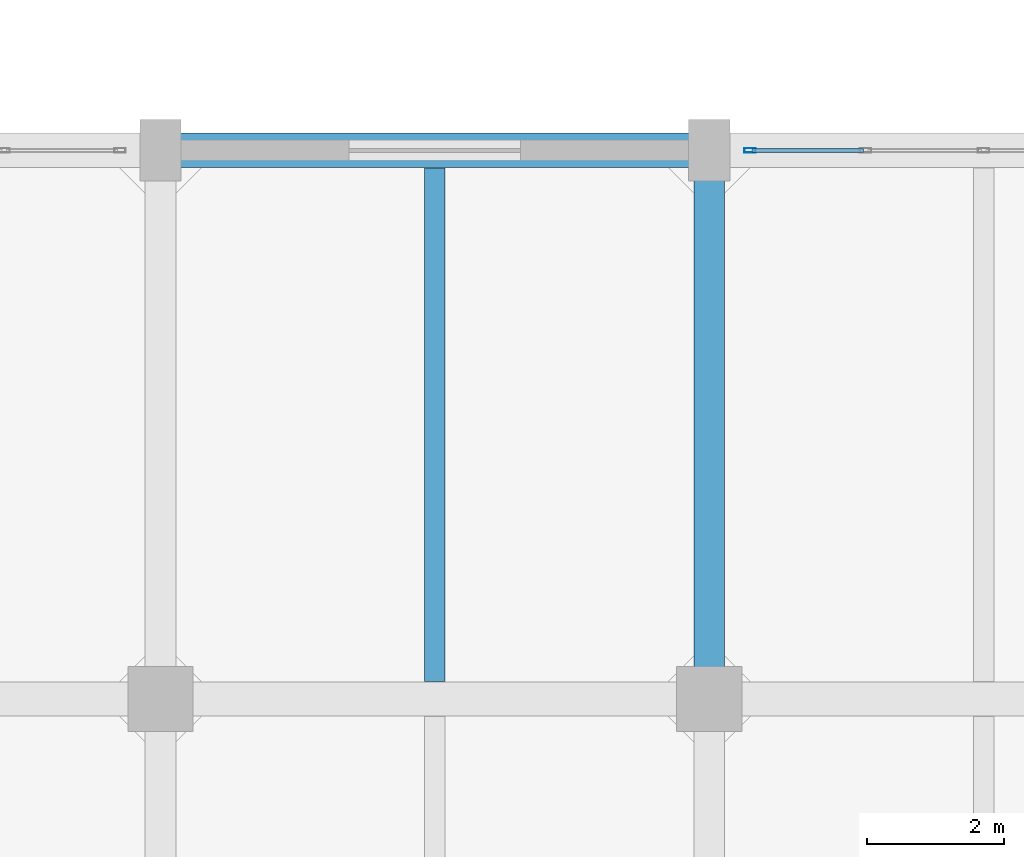
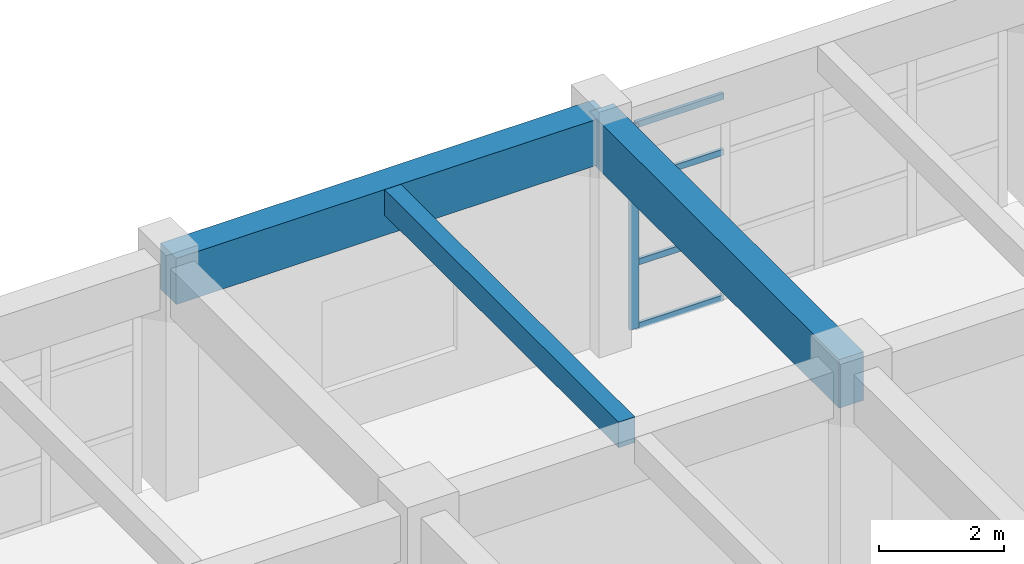
# One storey, part 193 of 248: 5 members, 3 beams, 1 element without a shape of its own.
"""IFC4 building model written with IfcOpenShell, lengths in metres."""

from ifc_helpers import new_model, si_unit, direction, frame, origin, origin_2d, place, context, subcontext, project, spatial, rectangle, hollow_rectangle, extrude, material, layer, layer_set, material_profile, profile_set, type_object, element, aggregate, save


model = new_model("IFC4")

# Units and contexts
model_context = context("Model", 3, precision=1e-05, world=origin(), true_north=direction((0.0, 1.0)))
body_context = subcontext(model_context, "Body", "Model", "MODEL_VIEW")
ifc_project = project(units=[si_unit("LENGTHUNIT", "METRE"), si_unit("AREAUNIT", "SQUARE_METRE"), si_unit("VOLUMEUNIT", "CUBIC_METRE"), si_unit("PLANEANGLEUNIT", "RADIAN"), si_unit("MASSUNIT", "GRAM", prefix="KILO")], contexts=[model_context])

# Site, building, storey
site_placement = place(None, origin())
site = spatial("IfcSite", under=ifc_project, at=site_placement, CompositionType="ELEMENT")
building_placement = place(site_placement, origin())
building = spatial("IfcBuilding", under=site, at=building_placement, Name="Canggui Botanical Conservatory", CompositionType="ELEMENT")
storey_placement = place(building_placement, frame((0.0, 0.0, 5.39990234375)))
storey = spatial("IfcBuildingStorey", under=building, at=storey_placement, Name="L02", CompositionType="ELEMENT", Elevation=5.39990234375)

# Beams
ifc_material_1 = material(Name="Concrete C35", Category="concrete")
ifc_material_profile_1 = material_profile(ifc_material_1, rectangle(XDim=0.300048828125, YDim=0.5, at=origin_2d()), Name="RB 300x500")
ifc_profile_set_1 = profile_set([ifc_material_profile_1], Name="Concrete C35")
beam_type_1 = type_object("IfcBeamType", Name="BM-JST02", PredefinedType="JOIST", material=ifc_profile_set_1)
beam_1_placement = place(storey_placement, frame((142.0, 74.2548828125, 4.27001953125), z_axis=(0.0, 1.0, 0.0), x_axis=(-1.0, 0.0, 0.0)))
element("IfcBeam", 1, at=beam_1_placement, inside=storey, type_object=beam_type_1, Name="Secondary Floor Joist L02-2-7", PredefinedType="JOIST", context=body_context, shape_type="SweptSolid", body=[
    extrude(rectangle(XDim=0.300048828125, YDim=0.5, at=origin_2d()), origin(), (0.0, 0.0, 1.0), 7.490234375),
])
ifc_material_profile_2 = material_profile(ifc_material_1, rectangle(XDim=0.5, YDim=0.89990234375, at=origin_2d()), Name="RB 500x900")
ifc_profile_set_2 = profile_set([ifc_material_profile_2], Name="Concrete C35")
beam_type_2 = type_object("IfcBeamType", Name="BM-KL03", PredefinedType="BEAM", material=ifc_profile_set_2)
beam_2_placement = place(storey_placement, frame((138.0, 82.0, 4.070068359375), z_axis=(1.0, 0.0, 0.0), x_axis=(0.0, 1.0, 0.0)))
element("IfcBeam", 2, at=beam_2_placement, inside=storey, type_object=beam_type_2, Name="Frame Girder L02 Y82-2", PredefinedType="BEAM", context=body_context, shape_type="SweptSolid", body=[
    extrude(rectangle(XDim=0.5, YDim=0.89990234375, at=origin_2d()), origin(), (0.0, 0.0, 1.0), 8.0),
])
ifc_material_profile_3 = material_profile(ifc_material_1, rectangle(XDim=0.449951171875, YDim=0.949951171875, at=origin_2d()), Name="RB 450x950")
ifc_profile_set_3 = profile_set([ifc_material_profile_3], Name="Concrete C35")
beam_type_3 = type_object("IfcBeamType", Name="BM-KL04", PredefinedType="BEAM", material=ifc_profile_set_3)
beam_3_placement = place(storey_placement, frame((146.0, 74.0, 4.045166015625), z_axis=(0.0, 1.0, 0.0), x_axis=(-1.0, 0.0, 0.0)))
element("IfcBeam", 3, at=beam_3_placement, inside=storey, type_object=beam_type_3, Name="Frame Girder L02 X146-7", PredefinedType="BEAM", context=body_context, shape_type="SweptSolid", body=[
    extrude(rectangle(XDim=0.449951171875, YDim=0.949951171875, at=origin_2d()), origin(), (0.0, 0.0, 1.0), 8.0),
])

# Curtain wall, members
ifc_material_2 = material(Name="Thermally Broken Aluminium", Category="aluminium")
ifc_layer = layer(ifc_material_2, 0.1650390625, Name="Thermally Broken Aluminium", Category="aluminium")
ifc_layer_set = layer_set([ifc_layer], Name="Thermally Broken Aluminium")
curtain_wall_type = type_object("IfcCurtainWallType", Name="CW-UNIT-B", PredefinedType="USERDEFINED", material=ifc_layer_set)
curtain_wall_placement = place(storey_placement, origin())
curtain_wall = element("IfcCurtainWall", 4, at=curtain_wall_placement, inside=storey, type_object=curtain_wall_type, Name="Facade Curtain Wall CW-TWR-L02-16", ObjectType="UNITISED CURTAIN WALL", PredefinedType="USERDEFINED")
ifc_material_profile_4 = material_profile(ifc_material_2, hollow_rectangle(XDim=0.06494140625, YDim=0.1650390625, WallThickness=0.00390625, at=origin_2d()), Name="CWM 65x165x4")
ifc_profile_set_4 = profile_set([ifc_material_profile_4], Name="Thermally Broken Aluminium")
member_type_1 = type_object("IfcMemberType", Name="CWM-02", PredefinedType="MULLION", material=ifc_profile_set_4)
member_1_placement = place(storey_placement, frame((146.592529296875, 82.0, 0.0), z_axis=(0.0, 0.0, 1.0), x_axis=(0.0, 1.0, 0.0)))
member_1 = element("IfcMember", 5, at=member_1_placement, type_object=member_type_1, Name="CW-02 mullion 1", PredefinedType="MULLION", context=body_context, shape_type="SweptSolid", body=[
    extrude(hollow_rectangle(XDim=0.06494140625, YDim=0.1650390625, WallThickness=0.00390625, at=origin_2d()), origin(), (0.0, 0.0, 1.0), 4.0),
])
ifc_material_profile_5 = material_profile(ifc_material_2, hollow_rectangle(XDim=0.06005859375, YDim=0.1201171875, WallThickness=0.00341796875, at=origin_2d()), Name="CWT 60x120x3.5")
ifc_profile_set_5 = profile_set([ifc_material_profile_5], Name="Thermally Broken Aluminium")
member_type_2 = type_object("IfcMemberType", Name="CWT-02", PredefinedType="USERDEFINED", material=ifc_profile_set_5)
member_2_placement = place(storey_placement, frame((146.625, 82.0, 0.030029296875), z_axis=(1.0, 0.0, 0.0), x_axis=(0.0, 1.0, 0.0)))
member_2 = element("IfcMember", 6, at=member_2_placement, type_object=member_type_2, Name="CW-02 transom 1.1", ObjectType="TRANSOM", PredefinedType="USERDEFINED", context=body_context, shape_type="SweptSolid", body=[
    extrude(hollow_rectangle(XDim=0.06005859375, YDim=0.1201171875, WallThickness=0.00341796875, at=origin_2d()), origin(), (0.0, 0.0, 1.0), 1.62255859375),
])
member_3_placement = place(storey_placement, frame((146.625, 82.0, 1.280029296875), z_axis=(1.0, 0.0, 0.0), x_axis=(0.0, 1.0, 0.0)))
member_3 = element("IfcMember", 7, at=member_3_placement, type_object=member_type_2, Name="CW-02 transom 1.2", ObjectType="TRANSOM", PredefinedType="USERDEFINED", context=body_context, shape_type="SweptSolid", body=[
    extrude(hollow_rectangle(XDim=0.06005859375, YDim=0.1201171875, WallThickness=0.00341796875, at=origin_2d()), origin(), (0.0, 0.0, 1.0), 1.62255859375),
])
member_4_placement = place(storey_placement, frame((146.625, 82.0, 2.880126953125), z_axis=(1.0, 0.0, 0.0), x_axis=(0.0, 1.0, 0.0)))
member_4 = element("IfcMember", 8, at=member_4_placement, type_object=member_type_2, Name="CW-02 transom 1.3", ObjectType="TRANSOM", PredefinedType="USERDEFINED", context=body_context, shape_type="SweptSolid", body=[
    extrude(hollow_rectangle(XDim=0.06005859375, YDim=0.1201171875, WallThickness=0.00341796875, at=origin_2d()), origin(), (0.0, 0.0, 1.0), 1.62255859375),
])
member_5_placement = place(storey_placement, frame((146.625, 82.0, 3.97021484375), z_axis=(1.0, 0.0, 0.0), x_axis=(0.0, 1.0, 0.0)))
member_5 = element("IfcMember", 9, at=member_5_placement, type_object=member_type_2, Name="CW-02 transom 1.4", ObjectType="TRANSOM", PredefinedType="USERDEFINED", context=body_context, shape_type="SweptSolid", body=[
    extrude(hollow_rectangle(XDim=0.06005859375, YDim=0.1201171875, WallThickness=0.00341796875, at=origin_2d()), origin(), (0.0, 0.0, 1.0), 1.62255859375),
])
aggregate(curtain_wall, [member_1, member_2, member_3, member_4, member_5])

save(model, "model.ifc")
